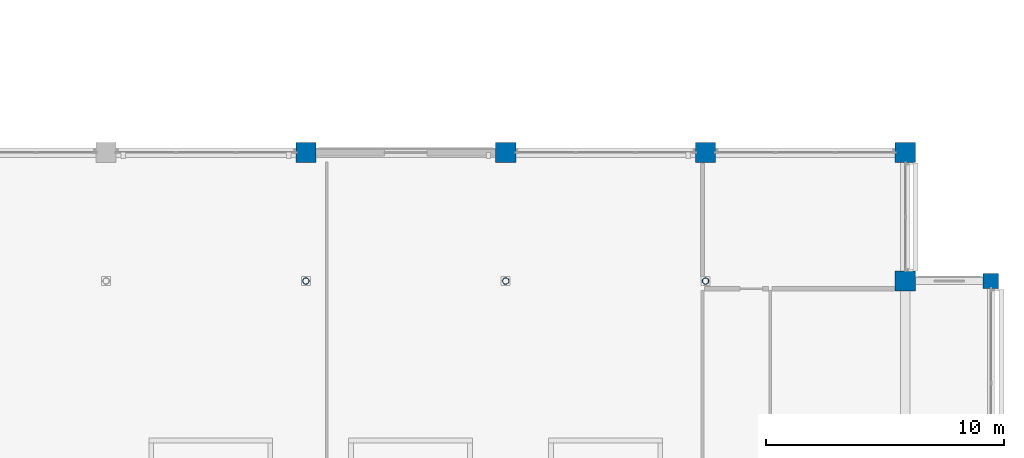
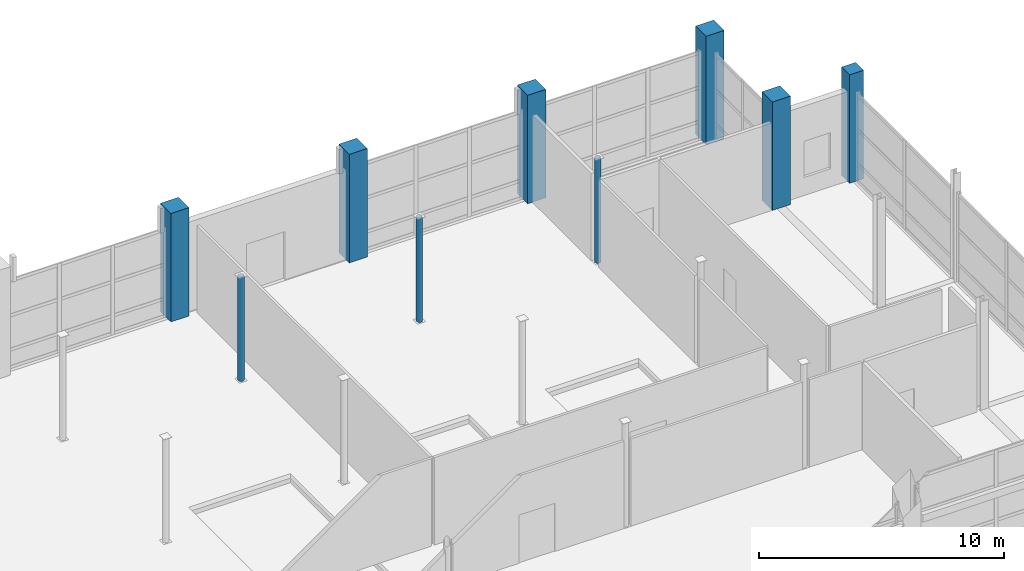
# One storey, part 16 of 140: 9 columns.
"""IFC4 building model written with IfcOpenShell, lengths in metres."""

from ifc_helpers import new_model, si_unit, direction, frame, origin, origin_2d, place, context, subcontext, project, spatial, rectangle, hollow_circle, extrude, material, material_profile, profile_set, type_object, element, save


model = new_model("IFC4")

# Units and contexts
model_context = context("Model", 3, precision=1e-05, world=origin(), true_north=direction((0.0, 1.0)))
body_context = subcontext(model_context, "Body", "Model", "MODEL_VIEW")
ifc_project = project(units=[si_unit("LENGTHUNIT", "METRE"), si_unit("AREAUNIT", "SQUARE_METRE"), si_unit("VOLUMEUNIT", "CUBIC_METRE"), si_unit("PLANEANGLEUNIT", "RADIAN"), si_unit("MASSUNIT", "GRAM", prefix="KILO")], contexts=[model_context])

# Site, building, storey
site_placement = place(None, origin())
site = spatial("IfcSite", under=ifc_project, at=site_placement, CompositionType="ELEMENT")
building_placement = place(site_placement, origin())
building = spatial("IfcBuilding", under=site, at=building_placement, Name="Telukmera Botanical Conservatory", CompositionType="ELEMENT")
storey_placement = place(building_placement, origin())
storey = spatial("IfcBuildingStorey", under=building, at=storey_placement, Name="L00", CompositionType="ELEMENT", Elevation=0.0)

# Columns
ifc_material_1 = material(Name="Concrete C40/50", Category="concrete")
ifc_material_profile_1 = material_profile(ifc_material_1, rectangle(XDim=0.64990234375, YDim=0.64990234375, at=origin_2d()), Name="RC 650x650")
ifc_profile_set_1 = profile_set([ifc_material_profile_1], Name="Concrete C40/50")
column_type_1 = type_object("IfcColumnType", Name="Col_C10", PredefinedType="COLUMN", material=ifc_profile_set_1)
column_placement = place(storey_placement, frame((171.60009765625, 42.800048828125, 0.0), z_axis=(0.0, 0.0, 1.0), x_axis=(1.0, 0.0, 0.0)))
element("IfcColumn", 1, at=column_placement, inside=storey, type_object=column_type_1, Name="Column V1-L00 (171.6,42.8)", PredefinedType="COLUMN", context=body_context, shape_type="SweptSolid", body=[
    extrude(rectangle(XDim=0.64990234375, YDim=0.64990234375, at=origin_2d()), origin(), (0.0, 0.0, 1.0), 5.39990234375),
])
ifc_material_2 = material(Name="Concrete C50/60", Category="concrete")
ifc_material_profile_2 = material_profile(ifc_material_2, rectangle(XDim=0.85009765625, YDim=0.85009765625, at=origin_2d()), Name="RC 850x850")
ifc_profile_set_2 = profile_set([ifc_material_profile_2], Name="Concrete C50/60")
column_type_2 = type_object("IfcColumnType", Name="Col_C6", PredefinedType="COLUMN", material=ifc_profile_set_2)
for number, where, z_axis, x_axis, name in (
    (2, (142.800048828125, 48.199951171875, 0.0), (0.0, 0.0, 1.0), (1.0, 0.0, 0.0), "Column V1-L00 (142.8,48.2)"),
    (3, (151.199951171875, 48.199951171875, 0.0), (0.0, 0.0, 1.0), (1.0, 0.0, 0.0), "Column V1-L00 (151.2,48.2)"),
    (4, (159.60009765625, 48.199951171875, 0.0), (0.0, 0.0, 1.0), (1.0, 0.0, 0.0), "Column V1-L00 (159.6,48.2)"),
    (5, (168.0, 42.800048828125, 0.0), (0.0, 0.0, 1.0), (1.0, 0.0, 0.0), "Column V1-L00 (168.0,42.8)"),
    (6, (168.0, 48.199951171875, 0.0), (0.0, 0.0, 1.0), (1.0, 0.0, 0.0), "Column V1-L00 (168.0,48.2)"),
):
    element("IfcColumn", number, at=place(storey_placement, frame(where, z_axis=z_axis, x_axis=x_axis)), inside=storey, type_object=column_type_2, Name=name, PredefinedType="COLUMN", context=body_context, shape_type="SweptSolid", body=[
        extrude(rectangle(XDim=0.85009765625, YDim=0.85009765625, at=origin_2d()), origin(), (0.0, 0.0, 1.0), 5.39990234375),
    ])
ifc_material_3 = material(Name="Steel S355", Category="steel")
ifc_material_profile_3 = material_profile(ifc_material_3, hollow_circle(Radius=0.136474609375, WallThickness=0.010009765625, at=origin_2d()), Name="CHS 273.0x10.0")
ifc_profile_set_3 = profile_set([ifc_material_profile_3], Name="Steel S355")
column_type_3 = type_object("IfcColumnType", Name="Col_SC2", PredefinedType="COLUMN", material=ifc_profile_set_3)
for number, where, z_axis, x_axis, name in (
    (7, (142.800048828125, 42.800048828125, 0.0), (0.0, 0.0, 1.0), (1.0, 0.0, 0.0), "Column V1-L00 (142.8,42.8)"),
    (8, (151.199951171875, 42.800048828125, 0.0), (0.0, 0.0, 1.0), (1.0, 0.0, 0.0), "Column V1-L00 (151.2,42.8)"),
    (9, (159.60009765625, 42.800048828125, 0.0), (0.0, 0.0, 1.0), (1.0, 0.0, 0.0), "Column V1-L00 (159.6,42.8)"),
):
    element("IfcColumn", number, at=place(storey_placement, frame(where, z_axis=z_axis, x_axis=x_axis)), inside=storey, type_object=column_type_3, Name=name, PredefinedType="COLUMN", context=body_context, shape_type="SweptSolid", body=[
        extrude(hollow_circle(Radius=0.136474609375, WallThickness=0.010009765625, at=origin_2d()), origin(), (0.0, 0.0, 1.0), 5.199951171875),
    ])

save(model, "model.ifc")
